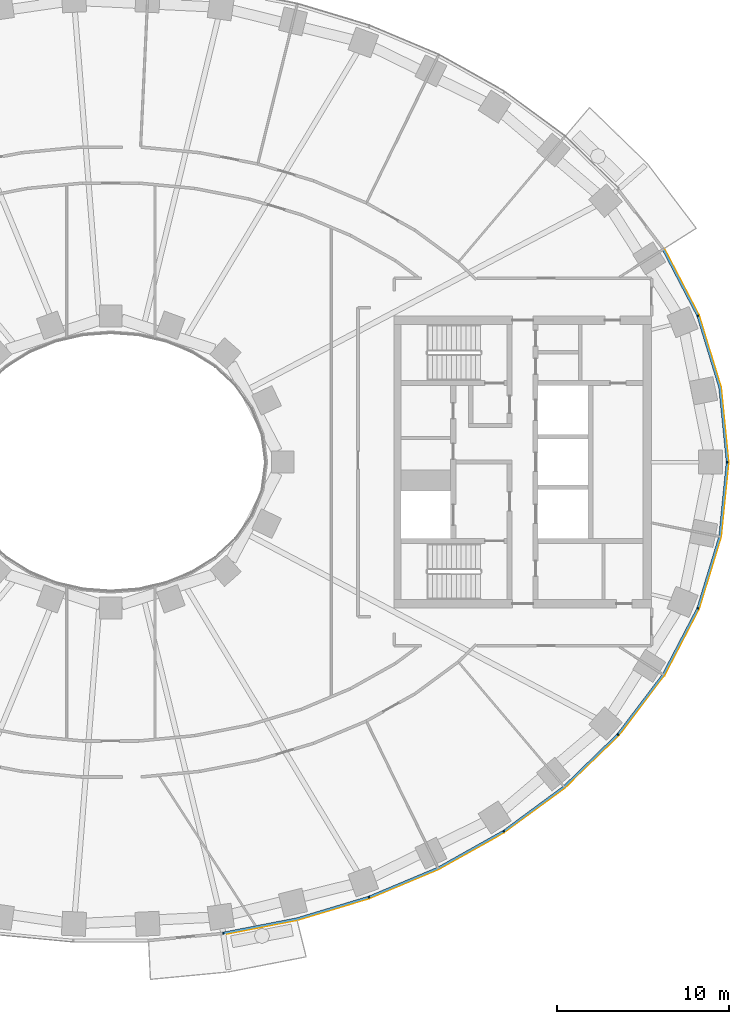
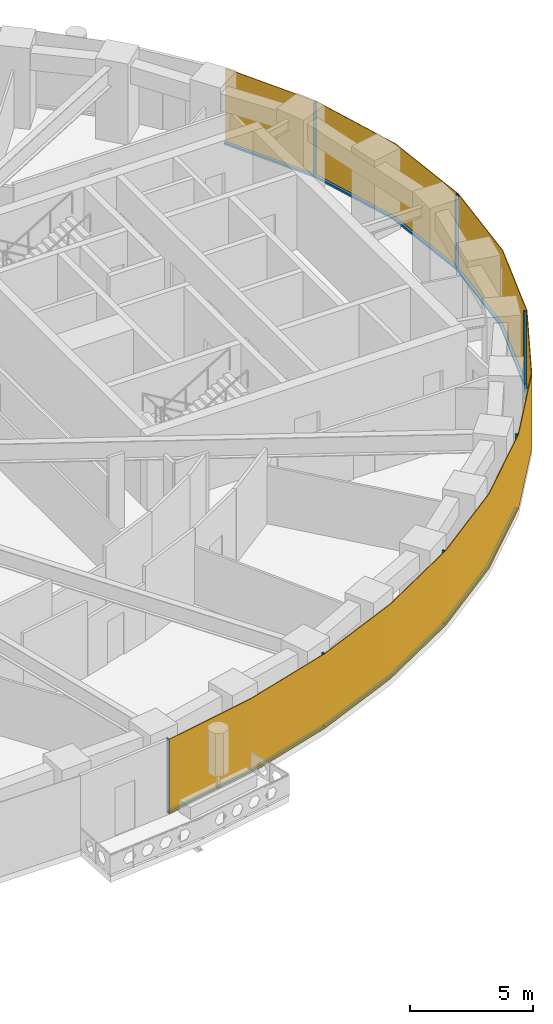
# One storey, part 10 of 16: 14 members, 1 curtain wall.
"""IFC4 building model written with IfcOpenShell, lengths in metres."""

from ifc_helpers import new_model, si_unit, direction, frame, origin, origin_2d, place, context, subcontext, project, spatial, polyline, rectangle, outline, extrude, material, layer, layer_set, material_profile, profile_set, type_object, element, aggregate, save


model = new_model("IFC4")

# Units and contexts
model_context = context("Model", 3, precision=1e-05, world=origin(), true_north=direction((0.0, 1.0)))
body_context = subcontext(model_context, "Body", "Model", "MODEL_VIEW")
ifc_project = project(units=[si_unit("LENGTHUNIT", "METRE"), si_unit("AREAUNIT", "SQUARE_METRE"), si_unit("VOLUMEUNIT", "CUBIC_METRE"), si_unit("PLANEANGLEUNIT", "RADIAN"), si_unit("MASSUNIT", "GRAM", prefix="KILO")], contexts=[model_context])

# Member
ifc_material_1 = material(Name="Aluminium 6063-T6 black anodised", Category="aluminium")
ifc_material_profile = material_profile(ifc_material_1, rectangle(XDim=0.1201171875, YDim=0.06005859375, at=origin_2d()), Name="120x60")
ifc_profile_set = profile_set([ifc_material_profile], Name="Aluminium 6063-T6 black anodised")
member_type_1 = type_object("IfcMemberType", Name="ENV-MULLION-A-120", PredefinedType="MULLION", material=ifc_profile_set)
site_placement = place(None, origin())
building_placement = place(site_placement, origin())
storey_placement = place(building_placement, frame((0.0, 0.0, 66.5)))
member_1_placement = place(storey_placement, frame((6.54638671875, -27.440185546875, 0.0), z_axis=(0.0, 0.0, 1.0), x_axis=(-0.143082012705, 0.989710835366, 0.0)))
member_1 = element("IfcMember", 1, at=member_1_placement, type_object=member_type_1, Name="Mullion A radial 37", PredefinedType="MULLION", context=body_context, shape_type="SweptSolid", body=[
    extrude(rectangle(XDim=0.1201171875, YDim=0.06005859375, at=origin_2d()), origin(), (0.0, 0.0, 1.0), 3.699951171875),
])

member_2_placement = place(storey_placement, frame((15.0341796875, -25.34375, 0.0), z_axis=(0.0, 0.0, 1.0), x_axis=(-0.338379256581, 0.941009818608, 0.0)))
member_2 = element("IfcMember", 2, at=member_2_placement, type_object=member_type_1, Name="Mullion A radial 39", PredefinedType="MULLION", context=body_context, shape_type="SweptSolid", body=[
    extrude(rectangle(XDim=0.1201171875, YDim=0.06005859375, at=origin_2d()), origin(), (0.0, 0.0, 1.0), 3.699951171875),
])

member_3_placement = place(storey_placement, frame((22.882568359375, -21.506591796875, 0.0), z_axis=(0.0, 0.0, 1.0), x_axis=(-0.542279153225, 0.840198381323, 0.0)))
member_3 = element("IfcMember", 3, at=member_3_placement, type_object=member_type_1, Name="Mullion A radial 41", PredefinedType="MULLION", context=body_context, shape_type="SweptSolid", body=[
    extrude(rectangle(XDim=0.1201171875, YDim=0.06005859375, at=origin_2d()), origin(), (0.0, 0.0, 1.0), 3.699951171875),
])

member_4_placement = place(storey_placement, frame((29.53857421875, -15.8671875, 0.0), z_axis=(0.0, 0.0, 1.0), x_axis=(-0.749047221705, 0.662516610853, 0.0)))
member_4 = element("IfcMember", 4, at=member_4_placement, type_object=member_type_1, Name="Mullion A radial 43", PredefinedType="MULLION", context=body_context, shape_type="SweptSolid", body=[
    extrude(rectangle(XDim=0.1201171875, YDim=0.06005859375, at=origin_2d()), origin(), (0.0, 0.0, 1.0), 3.699951171875),
])

member_5_placement = place(storey_placement, frame((34.19580078125, -8.513916015625, 0.0), z_axis=(0.0, 0.0, 1.0), x_axis=(-0.92546738067, 0.378827305398, 0.0)))
member_5 = element("IfcMember", 5, at=member_5_placement, type_object=member_type_1, Name="Mullion A radial 45", PredefinedType="MULLION", context=body_context, shape_type="SweptSolid", body=[
    extrude(rectangle(XDim=0.1201171875, YDim=0.06005859375, at=origin_2d()), origin(), (0.0, 0.0, 1.0), 3.699951171875),
])

member_6_placement = place(storey_placement, frame((35.907958984375, 0.0, 0.0), z_axis=(0.0, 0.0, 1.0), x_axis=(-1.0, 0.0, 0.0)))
member_6 = element("IfcMember", 6, at=member_6_placement, type_object=member_type_1, Name="Mullion A radial 01", PredefinedType="MULLION", context=body_context, shape_type="SweptSolid", body=[
    extrude(rectangle(XDim=0.1201171875, YDim=0.06005859375, at=origin_2d()), origin(), (0.0, 0.0, 1.0), 3.699951171875),
])

member_7_placement = place(storey_placement, frame((34.19580078125, 8.513916015625, 0.0), z_axis=(0.0, 0.0, 1.0), x_axis=(-0.92546738067, -0.378827305398, 0.0)))
member_7 = element("IfcMember", 7, at=member_7_placement, type_object=member_type_1, Name="Mullion A radial 03", PredefinedType="MULLION", context=body_context, shape_type="SweptSolid", body=[
    extrude(rectangle(XDim=0.1201171875, YDim=0.06005859375, at=origin_2d()), origin(), (0.0, 0.0, 1.0), 3.699951171875),
])

ifc_material_2 = material(Name="Aluminium 6063-T6 black anodised", Category="aluminium")
member_type_2 = type_object("IfcMemberType", Name="ENV-TRANSOM-A", PredefinedType="USERDEFINED", material=ifc_material_2)
member_8_placement = place(storey_placement, origin())
member_8 = element("IfcMember", 8, at=member_8_placement, type_object=member_type_2, Name="Transom A radial 37-39", ObjectType="TRANSOM", PredefinedType="USERDEFINED", context=body_context, shape_type="SweptSolid", body=[
    extrude(outline(polyline([(6.58251953125, -27.494140625), (10.857666015625, -26.6630859375), (15.027587890625, -25.408203125), (14.987060546875, -25.295166015625), (10.828857421875, -26.54638671875), (6.5654296875, -27.375244140625), (6.58251953125, -27.494140625)])), origin(), (0.0, 0.0, 1.0), 0.10009765625),
])

member_9_placement = place(storey_placement, origin())
member_9 = element("IfcMember", 9, at=member_9_placement, type_object=member_type_2, Name="Transom A radial 39-41", ObjectType="TRANSOM", PredefinedType="USERDEFINED", context=body_context, shape_type="SweptSolid", body=[
    extrude(outline(polyline([(15.080322265625, -25.389404296875), (19.093994140625, -23.701416015625), (22.890625, -21.570556640625), (22.825439453125, -21.469482421875), (19.041259765625, -23.593505859375), (15.03955078125, -25.276123046875), (15.080322265625, -25.389404296875)])), origin(), (0.0, 0.0, 1.0), 0.10009765625),
])

member_10_placement = place(storey_placement, origin())
member_10 = element("IfcMember", 10, at=member_10_placement, type_object=member_type_2, Name="Transom A radial 41-43", ObjectType="TRANSOM", PredefinedType="USERDEFINED", context=body_context, shape_type="SweptSolid", body=[
    extrude(outline(polyline([(22.937744140625, -21.540283203125), (26.4423828125, -18.958740234375), (29.5634765625, -15.926513671875), (29.473388671875, -15.8466796875), (26.364501953125, -18.866943359375), (22.87255859375, -21.439208984375), (22.937744140625, -21.540283203125)])), origin(), (0.0, 0.0, 1.0), 0.10009765625),
])

member_11_placement = place(storey_placement, origin())
member_11 = element("IfcMember", 11, at=member_11_placement, type_object=member_type_2, Name="Transom A radial 43-45", ObjectType="TRANSOM", PredefinedType="USERDEFINED", context=body_context, shape_type="SweptSolid", body=[
    extrude(outline(polyline([(29.6005859375, -15.884521484375), (32.22802734375, -12.41748046875), (34.23828125, -8.5615234375), (34.126708984375, -8.515869140625), (32.126220703125, -12.35302734375), (29.51025390625, -15.8046875), (29.6005859375, -15.884521484375)])), origin(), (0.0, 0.0, 1.0), 0.10009765625),
])

member_12_placement = place(storey_placement, origin())
member_12 = element("IfcMember", 12, at=member_12_placement, type_object=member_type_2, Name="Transom A radial 45-01", ObjectType="TRANSOM", PredefinedType="USERDEFINED", context=body_context, shape_type="SweptSolid", body=[
    extrude(outline(polyline([(34.259521484375, -8.509765625), (35.529541015625, -4.352294921875), (35.965087890625, -0.02783203125), (35.844482421875, -0.02783203125), (35.411376953125, -4.32861328125), (34.14794921875, -8.464111328125), (34.259521484375, -8.509765625)])), origin(), (0.0, 0.0, 1.0), 0.10009765625),
])

member_13_placement = place(storey_placement, origin())
member_13 = element("IfcMember", 13, at=member_13_placement, type_object=member_type_2, Name="Transom A radial 01-03", ObjectType="TRANSOM", PredefinedType="USERDEFINED", context=body_context, shape_type="SweptSolid", body=[
    extrude(outline(polyline([(35.965087890625, 0.02783203125), (35.529541015625, 4.352294921875), (34.259521484375, 8.509765625), (34.14794921875, 8.464111328125), (35.411376953125, 4.32861328125), (35.844482421875, 0.02783203125), (35.965087890625, 0.02783203125)])), origin(), (0.0, 0.0, 1.0), 0.10009765625),
])

member_14_placement = place(storey_placement, origin())
member_14 = element("IfcMember", 14, at=member_14_placement, type_object=member_type_2, Name="Transom A radial 03-04", ObjectType="TRANSOM", PredefinedType="USERDEFINED", context=body_context, shape_type="SweptSolid", body=[
    extrude(outline(polyline([(34.23828125, 8.5615234375), (32.2373046875, 12.39990234375), (32.135498046875, 12.33544921875), (34.126708984375, 8.515869140625), (34.23828125, 8.5615234375)])), origin(), (0.0, 0.0, 1.0), 0.10009765625),
])

# Site, building, storey
site = spatial("IfcSite", under=ifc_project, at=site_placement, CompositionType="ELEMENT")
building = spatial("IfcBuilding", under=site, at=building_placement, Name="Noorbagh Ring Tower", CompositionType="ELEMENT")
storey = spatial("IfcBuildingStorey", under=building, at=storey_placement, Name="L14", CompositionType="ELEMENT", Elevation=66.5)

# Curtain wall
ifc_material_3 = material(Name="Glass dark tinted laminated", Category="glass")
ifc_layer = layer(ifc_material_3, 0.031982421875)
ifc_layer_set = layer_set([ifc_layer], Name="Glass dark tinted laminated")
curtain_wall_type = type_object("IfcCurtainWallType", Name="ENV-CW-A", PredefinedType="NOTDEFINED", material=ifc_layer_set)
curtain_wall_placement = place(storey_placement, origin())
curtain_wall = element("IfcCurtainWall", 15, at=curtain_wall_placement, inside=storey, type_object=curtain_wall_type, Name="Curtain wall A R37", PredefinedType="NOTDEFINED", context=body_context, shape_type="SweptSolid", body=[
    extrude(outline(polyline([(6.579345703125, -27.52734375), (10.865234375, -26.6943359375), (15.065185546875, -25.430419921875), (19.108154296875, -23.730224609375), (22.9326171875, -21.583740234375), (26.463134765625, -18.9833984375), (29.607666015625, -15.927978515625), (32.255126953125, -12.434814453125), (34.281005859375, -8.548828125), (35.561279296875, -4.358642578125), (36.0, 0.0), (35.561279296875, 4.358642578125), (34.281005859375, 8.548828125), (32.264404296875, 12.4169921875), (32.2373046875, 12.39990234375), (34.251220703125, 8.53662109375), (35.529541015625, 4.352294921875), (35.9677734375, 0.0), (35.529541015625, -4.352294921875), (34.251220703125, -8.53662109375), (32.22802734375, -12.41748046875), (29.58349609375, -15.906982421875), (26.4423828125, -18.958740234375), (22.9150390625, -21.556884765625), (19.093994140625, -23.701416015625), (15.054443359375, -25.400146484375), (10.857666015625, -26.6630859375), (6.57470703125, -27.49560546875), (6.579345703125, -27.52734375)])), origin(), (0.0, 0.0, 1.0), 3.699951171875),
])

aggregate(curtain_wall, [member_1, member_2, member_3, member_4, member_5, member_6, member_7, member_8, member_9, member_10, member_11, member_12, member_13, member_14])

save(model, "model.ifc")
